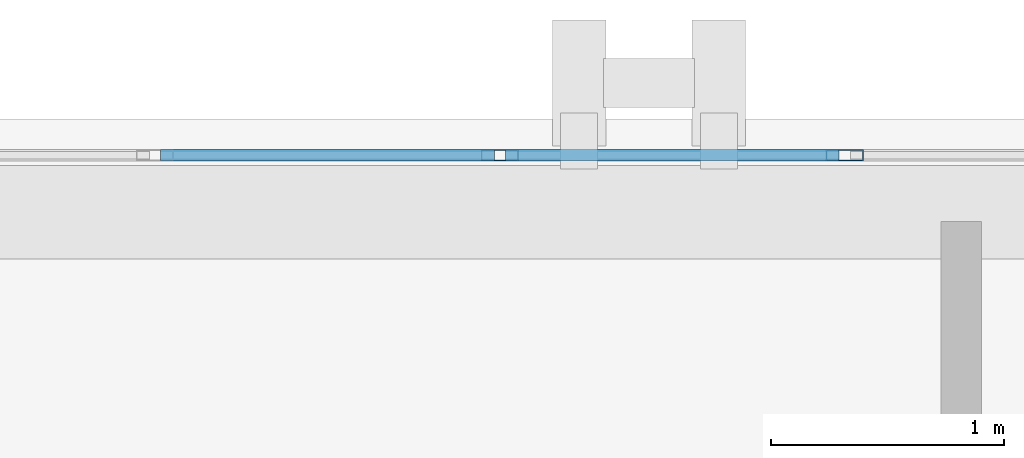
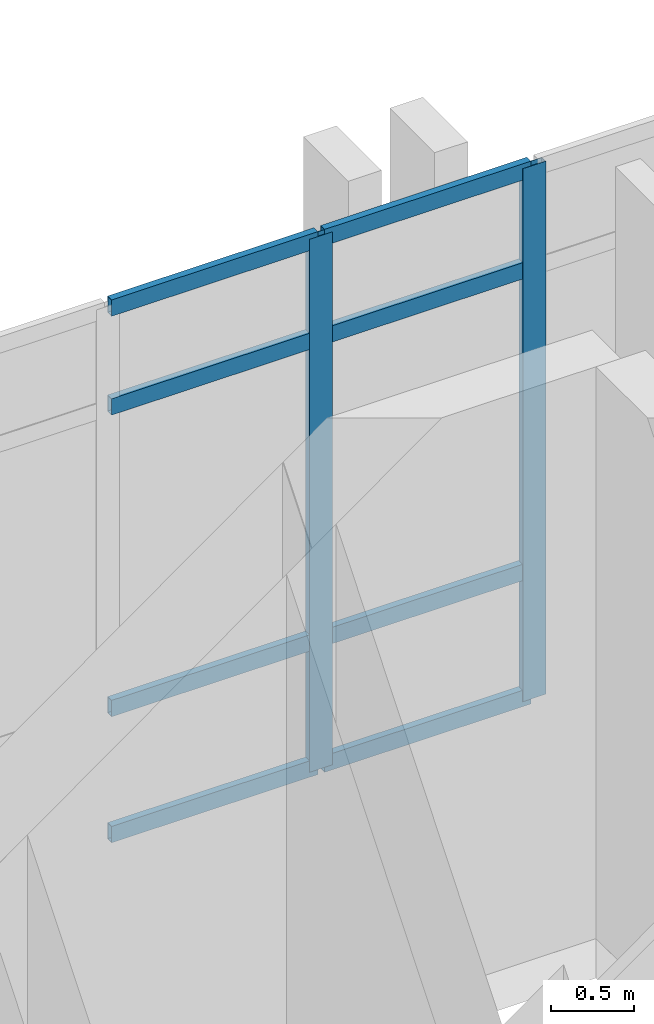
# One storey, part 95 of 193: 10 members, 1 element without a shape of its own.
"""IFC4 building model written with IfcOpenShell, lengths in metres."""

from ifc_helpers import new_model, si_unit, direction, frame, origin, origin_2d, place, context, subcontext, project, spatial, hollow_rectangle, extrude, material, layer, layer_set, material_profile, profile_set, type_object, element, aggregate, save


model = new_model("IFC4")

# Units and contexts
model_context = context("Model", 3, precision=1e-05, world=origin(), true_north=direction((0.0, 1.0)))
body_context = subcontext(model_context, "Body", "Model", "MODEL_VIEW")
ifc_project = project(units=[si_unit("LENGTHUNIT", "METRE"), si_unit("AREAUNIT", "SQUARE_METRE"), si_unit("VOLUMEUNIT", "CUBIC_METRE"), si_unit("PLANEANGLEUNIT", "RADIAN"), si_unit("MASSUNIT", "GRAM", prefix="KILO")], contexts=[model_context])

# Site, building, storey
site_placement = place(None, origin())
site = spatial("IfcSite", under=ifc_project, at=site_placement, CompositionType="ELEMENT")
building_placement = place(site_placement, origin())
building = spatial("IfcBuilding", under=site, at=building_placement, Name="Qalavern Law Courts", CompositionType="ELEMENT")
storey_placement = place(building_placement, frame((0.0, 0.0, 10.199951171875)))
storey = spatial("IfcBuildingStorey", under=building, at=storey_placement, Name="L02", CompositionType="ELEMENT", Elevation=10.199951171875)

# Curtain wall, members
ifc_material_1 = material(Name="Anodised aluminium and insulated glazing", Category="aluminium")
ifc_layer = layer(ifc_material_1, 0.166015625)
ifc_layer_set = layer_set([ifc_layer], Name="Anodised aluminium and insulated glazing")
curtain_wall_type = type_object("IfcCurtainWallType", Name="ENV-CW-LIB", PredefinedType="USERDEFINED", material=ifc_layer_set)
curtain_wall_placement = place(storey_placement, origin())
curtain_wall = element("IfcCurtainWall", 1, at=curtain_wall_placement, inside=storey, type_object=curtain_wall_type, Name="V5 unitised curtain wall L02 north 5", ObjectType="UNITISED CURTAIN WALL", PredefinedType="USERDEFINED")
ifc_material_2 = material(Name="Anodised aluminium", Category="aluminium")
ifc_material_profile_1 = material_profile(ifc_material_2, hollow_rectangle(XDim=0.048095703125, YDim=0.159912109375, WallThickness=0.00390625, at=origin_2d()), Name="ALU MULLION 48x160")
ifc_profile_set_1 = profile_set([ifc_material_profile_1], Name="Anodised aluminium")
member_type_1 = type_object("IfcMemberType", Name="ENV-CWM-48x160", PredefinedType="MULLION", material=ifc_profile_set_1)
member_1_placement = place(storey_placement, frame((33.340087890625, 112.844970703125, 0.0), z_axis=(0.0, 0.0, 1.0), x_axis=(0.0, -1.0, 0.0)))
member_1 = element("IfcMember", 2, at=member_1_placement, type_object=member_type_1, Name="CW-05 mullion 3", PredefinedType="MULLION", context=body_context, shape_type="SweptSolid", body=[
    extrude(hollow_rectangle(XDim=0.048095703125, YDim=0.159912109375, WallThickness=0.00390625, at=origin_2d()), origin(), (0.0, 0.0, 1.0), 3.9150390625),
])
member_2_placement = place(storey_placement, frame((31.860107421875, 112.844970703125, 0.0), z_axis=(0.0, 0.0, 1.0), x_axis=(0.0, -1.0, 0.0)))
member_2 = element("IfcMember", 3, at=member_2_placement, type_object=member_type_1, Name="CW-05 mullion 4", PredefinedType="MULLION", context=body_context, shape_type="SweptSolid", body=[
    extrude(hollow_rectangle(XDim=0.048095703125, YDim=0.159912109375, WallThickness=0.00390625, at=origin_2d()), origin(), (0.0, 0.0, 1.0), 3.9150390625),
])
ifc_material_profile_2 = material_profile(ifc_material_2, hollow_rectangle(XDim=0.048095703125, YDim=0.1201171875, WallThickness=0.00390625, at=origin_2d()), Name="ALU TRANSOM 48x120")
ifc_profile_set_2 = profile_set([ifc_material_profile_2], Name="Anodised aluminium")
member_type_2 = type_object("IfcMemberType", Name="ENV-CWT-48x120", PredefinedType="USERDEFINED", material=ifc_profile_set_2)
member_3_placement = place(storey_placement, frame((33.31591796875, 112.844970703125, 0.024169921875), z_axis=(-1.0, 0.0, 0.0), x_axis=(0.0, -1.0, 0.0)))
member_3 = element("IfcMember", 4, at=member_3_placement, type_object=member_type_2, Name="CW-05 transom 3.1", ObjectType="TRANSOM", PredefinedType="USERDEFINED", context=body_context, shape_type="SweptSolid", body=[
    extrude(hollow_rectangle(XDim=0.048095703125, YDim=0.1201171875, WallThickness=0.00390625, at=origin_2d()), origin(), (0.0, 0.0, 1.0), 1.431884765625),
])
member_4_placement = place(storey_placement, frame((33.31591796875, 112.844970703125, 0.949951171875), z_axis=(-1.0, 0.0, 0.0), x_axis=(0.0, -1.0, 0.0)))
member_4 = element("IfcMember", 5, at=member_4_placement, type_object=member_type_2, Name="CW-05 transom 3.2", ObjectType="TRANSOM", PredefinedType="USERDEFINED", context=body_context, shape_type="SweptSolid", body=[
    extrude(hollow_rectangle(XDim=0.048095703125, YDim=0.1201171875, WallThickness=0.00390625, at=origin_2d()), origin(), (0.0, 0.0, 1.0), 1.431884765625),
])
member_5_placement = place(storey_placement, frame((33.31591796875, 112.844970703125, 3.1650390625), z_axis=(-1.0, 0.0, 0.0), x_axis=(0.0, -1.0, 0.0)))
member_5 = element("IfcMember", 6, at=member_5_placement, type_object=member_type_2, Name="CW-05 transom 3.3", ObjectType="TRANSOM", PredefinedType="USERDEFINED", context=body_context, shape_type="SweptSolid", body=[
    extrude(hollow_rectangle(XDim=0.048095703125, YDim=0.1201171875, WallThickness=0.00390625, at=origin_2d()), origin(), (0.0, 0.0, 1.0), 1.431884765625),
])
member_6_placement = place(storey_placement, frame((33.31591796875, 112.844970703125, 3.89111328125), z_axis=(-1.0, 0.0, 0.0), x_axis=(0.0, -1.0, 0.0)))
member_6 = element("IfcMember", 7, at=member_6_placement, type_object=member_type_2, Name="CW-05 transom 3.4", ObjectType="TRANSOM", PredefinedType="USERDEFINED", context=body_context, shape_type="SweptSolid", body=[
    extrude(hollow_rectangle(XDim=0.048095703125, YDim=0.1201171875, WallThickness=0.00390625, at=origin_2d()), origin(), (0.0, 0.0, 1.0), 1.431884765625),
])
member_7_placement = place(storey_placement, frame((31.8359375, 112.844970703125, 0.024169921875), z_axis=(-1.0, 0.0, 0.0), x_axis=(0.0, -1.0, 0.0)))
member_7 = element("IfcMember", 8, at=member_7_placement, type_object=member_type_2, Name="CW-05 transom 4.1", ObjectType="TRANSOM", PredefinedType="USERDEFINED", context=body_context, shape_type="SweptSolid", body=[
    extrude(hollow_rectangle(XDim=0.048095703125, YDim=0.1201171875, WallThickness=0.00390625, at=origin_2d()), origin(), (0.0, 0.0, 1.0), 1.431884765625),
])
member_8_placement = place(storey_placement, frame((31.8359375, 112.844970703125, 0.949951171875), z_axis=(-1.0, 0.0, 0.0), x_axis=(0.0, -1.0, 0.0)))
member_8 = element("IfcMember", 9, at=member_8_placement, type_object=member_type_2, Name="CW-05 transom 4.2", ObjectType="TRANSOM", PredefinedType="USERDEFINED", context=body_context, shape_type="SweptSolid", body=[
    extrude(hollow_rectangle(XDim=0.048095703125, YDim=0.1201171875, WallThickness=0.00390625, at=origin_2d()), origin(), (0.0, 0.0, 1.0), 1.431884765625),
])
member_9_placement = place(storey_placement, frame((31.8359375, 112.844970703125, 3.1650390625), z_axis=(-1.0, 0.0, 0.0), x_axis=(0.0, -1.0, 0.0)))
member_9 = element("IfcMember", 10, at=member_9_placement, type_object=member_type_2, Name="CW-05 transom 4.3", ObjectType="TRANSOM", PredefinedType="USERDEFINED", context=body_context, shape_type="SweptSolid", body=[
    extrude(hollow_rectangle(XDim=0.048095703125, YDim=0.1201171875, WallThickness=0.00390625, at=origin_2d()), origin(), (0.0, 0.0, 1.0), 1.431884765625),
])
member_10_placement = place(storey_placement, frame((31.8359375, 112.844970703125, 3.89111328125), z_axis=(-1.0, 0.0, 0.0), x_axis=(0.0, -1.0, 0.0)))
member_10 = element("IfcMember", 11, at=member_10_placement, type_object=member_type_2, Name="CW-05 transom 4.4", ObjectType="TRANSOM", PredefinedType="USERDEFINED", context=body_context, shape_type="SweptSolid", body=[
    extrude(hollow_rectangle(XDim=0.048095703125, YDim=0.1201171875, WallThickness=0.00390625, at=origin_2d()), origin(), (0.0, 0.0, 1.0), 1.431884765625),
])
aggregate(curtain_wall, [member_1, member_2, member_3, member_4, member_5, member_6, member_7, member_8, member_9, member_10])

save(model, "model.ifc")
